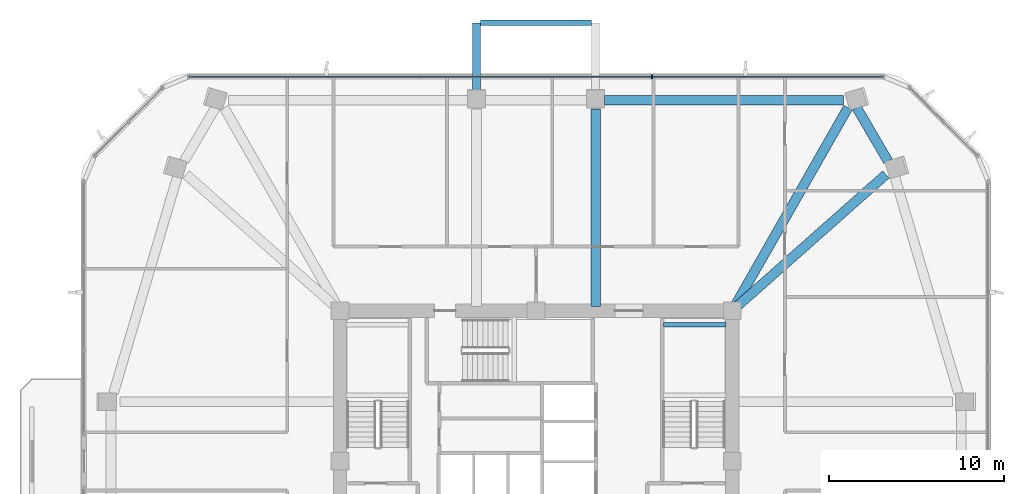
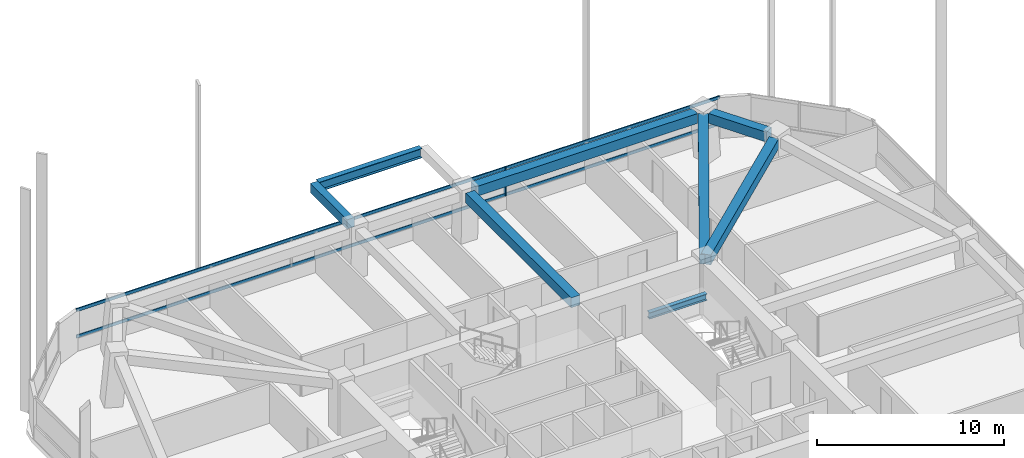
# One storey, part 5 of 15: 8 beams, 3 members, 1 element without a shape of its own.
"""IFC4 building model written with IfcOpenShell, lengths in metres."""

from ifc_helpers import new_model, si_unit, derived_unit, direction, frame, origin, origin_2d, place, context, subcontext, project, spatial, rectangle, i_section, extrude, material, material_profile, profile_set, type_object, element, aggregate, save


model = new_model("IFC4")

# Units and contexts
model_context = context("Model", 3, precision=1e-05, world=origin(), true_north=direction((0.0, 1.0)))
body_context = subcontext(model_context, "Body", "Model", "MODEL_VIEW")
ifc_project = project(units=[si_unit("LENGTHUNIT", "METRE"), si_unit("AREAUNIT", "SQUARE_METRE"), si_unit("VOLUMEUNIT", "CUBIC_METRE"), si_unit("PLANEANGLEUNIT", "RADIAN"), si_unit("MASSUNIT", "GRAM", prefix="KILO"), derived_unit("THERMALTRANSMITTANCEUNIT", [(si_unit("POWERUNIT", "WATT"), 1), (si_unit("LENGTHUNIT", "METRE"), -2), (si_unit("THERMODYNAMICTEMPERATUREUNIT", "KELVIN"), -1)])], contexts=[model_context])

# Site, building, storey
site_placement = place(None, origin())
site = spatial("IfcSite", under=ifc_project, at=site_placement, CompositionType="ELEMENT")
building_placement = place(site_placement, origin())
building = spatial("IfcBuilding", under=site, at=building_placement, Name="Koralith Skygarden Medical Center", CompositionType="ELEMENT")
storey_placement = place(building_placement, frame((0.0, 0.0, 99.179931640625)))
storey = spatial("IfcBuildingStorey", under=building, at=storey_placement, Name="L25", CompositionType="ELEMENT", Elevation=99.179931640625)

# Curtain wall, members
ifc_material_1 = material(Name="Clear Laminated Glass", Category="glass")
curtain_wall_type = type_object("IfcCurtainWallType", Name="CW-3 Zone 2 Faceted Solar Curtain Wall", PredefinedType="NOTDEFINED", material=ifc_material_1)
curtain_wall_placement = place(storey_placement, origin())
curtain_wall = element("IfcCurtainWall", 1, at=curtain_wall_placement, inside=storey, type_object=curtain_wall_type, Name="Curtain Wall CW-L25-N", PredefinedType="NOTDEFINED")
ifc_material_2 = material(Name="Aluminium 6063-T6", Category="aluminium")
ifc_material_profile_1 = material_profile(ifc_material_2, rectangle(XDim=0.073974609375, YDim=0.219970703125, at=origin_2d()), Name="MUL74X220")
ifc_profile_set_1 = profile_set([ifc_material_profile_1], Name="Aluminium 6063-T6")
member_type_1 = type_object("IfcMemberType", Name="CW-3 Extruded Mullion 74x220", PredefinedType="MULLION", material=ifc_profile_set_1)
member_1_placement = place(storey_placement, frame((43.613037109375, 47.85498046875, 0.85009765625), z_axis=(0.0, 0.0, 1.0), x_axis=(1.0, 0.0, 0.0)))
member_1 = element("IfcMember", 2, at=member_1_placement, type_object=member_type_1, Name="CW-L25-N Mullion 2", PredefinedType="MULLION", context=body_context, shape_type="SweptSolid", body=[
    extrude(rectangle(XDim=0.073974609375, YDim=0.219970703125, at=origin_2d()), origin(), (0.0, 0.0, 1.0), 1.820068359375),
])
ifc_material_profile_2 = material_profile(ifc_material_2, rectangle(XDim=0.069091796875, YDim=0.197998046875, at=origin_2d()), Name="TRN69X198")
ifc_profile_set_2 = profile_set([ifc_material_profile_2], Name="Aluminium 6063-T6")
member_type_2 = type_object("IfcMemberType", Name="CW-3 Thermal Transom 69x198", PredefinedType="USERDEFINED", material=ifc_profile_set_2)
member_2_placement = place(storey_placement, frame((56.837890625, 47.85498046875, 0.900146484375), z_axis=(-1.0, 0.0, 0.0), x_axis=(0.0, -1.0, 0.0)))
member_2 = element("IfcMember", 3, at=member_2_placement, type_object=member_type_2, Name="CW-L25-N Transom 1", ObjectType="TRANSOM", PredefinedType="USERDEFINED", context=body_context, shape_type="SweptSolid", body=[
    extrude(rectangle(XDim=0.069091796875, YDim=0.197998046875, at=origin_2d()), origin(), (0.0, 0.0, 1.0), 39.67578125),
])
member_3_placement = place(storey_placement, frame((56.837890625, 47.85498046875, 2.6201171875), z_axis=(-1.0, 0.0, 0.0), x_axis=(0.0, -1.0, 0.0)))
member_3 = element("IfcMember", 4, at=member_3_placement, type_object=member_type_2, Name="CW-L25-N Transom 2", ObjectType="TRANSOM", PredefinedType="USERDEFINED", context=body_context, shape_type="SweptSolid", body=[
    extrude(rectangle(XDim=0.069091796875, YDim=0.197998046875, at=origin_2d()), origin(), (0.0, 0.0, 1.0), 39.67578125),
])
aggregate(curtain_wall, [member_1, member_2, member_3])

# Beams
ifc_material_3 = material(Name="Steel ASTM A992 Grade 50", Category="steel")
ifc_material_profile_3 = material_profile(ifc_material_3, i_section(OverallWidth=0.326904296875, OverallDepth=0.6220703125, WebThickness=0.015380859375, FlangeThickness=0.0244140625, at=origin_2d()), Name="W24X131")
ifc_profile_set_3 = profile_set([ifc_material_profile_3], Name="Steel ASTM A992 Grade 50")
beam_type_1 = type_object("IfcBeamType", Name="Cantilever Tie Beam W24X131", PredefinedType="BEAM", material=ifc_profile_set_3)
beam_1_placement = place(storey_placement, frame((33.820068359375, 50.93603515625, 3.029052734375), z_axis=(1.0, 0.0, 0.0), x_axis=(0.0, 1.0, 0.0)))
element("IfcBeam", 5, at=beam_1_placement, inside=storey, type_object=beam_type_1, Name="L26 N Balcony Tip Tie Beam", PredefinedType="BEAM", context=body_context, shape_type="SweptSolid", body=[
    extrude(i_section(OverallWidth=0.326904296875, OverallDepth=0.6220703125, WebThickness=0.015380859375, FlangeThickness=0.0244140625, at=origin_2d()), origin(), (0.0, 0.0, 1.0), 6.35986328125),
])
ifc_material_profile_4 = material_profile(ifc_material_3, i_section(OverallWidth=0.260009765625, OverallDepth=0.4150390625, WebThickness=0.010009765625, FlangeThickness=0.016845703125, at=origin_2d()), Name="W16X67")
ifc_profile_set_4 = profile_set([ifc_material_profile_4], Name="Steel ASTM A992 Grade 50")
beam_type_2 = type_object("IfcBeamType", Name="Clinical Floor Joist W16X67", PredefinedType="JOIST", material=ifc_profile_set_4)
beam_2_placement = place(storey_placement, frame((44.280029296875, 33.699951171875, 1.39306640625), z_axis=(1.0, 0.0, 0.0), x_axis=(0.0, 1.0, 0.0)))
element("IfcBeam", 6, at=beam_2_placement, inside=storey, type_object=beam_type_2, Name="L25 Stair ST2 Half-Landing Support Beam 1B", PredefinedType="JOIST", context=body_context, shape_type="SweptSolid", body=[
    extrude(i_section(OverallWidth=0.260009765625, OverallDepth=0.4150390625, WebThickness=0.010009765625, FlangeThickness=0.016845703125, at=origin_2d()), origin(), (0.0, 0.0, 1.0), 3.56494140625),
])
ifc_material_4 = material(Name="Concrete C45/55", Category="concrete")
ifc_material_profile_5 = material_profile(ifc_material_4, rectangle(XDim=0.449951171875, YDim=0.60009765625, at=origin_2d()), Name="RCB450X600")
ifc_profile_set_5 = profile_set([ifc_material_profile_5], Name="Concrete C45/55")
beam_type_3 = type_object("IfcBeamType", Name="Planted Balcony Cantilever Beam RCB450X600", PredefinedType="BEAM", material=ifc_profile_set_5)
beam_3_placement = place(storey_placement, frame((33.60009765625, 47.01611328125, 3.0400390625), z_axis=(0.0, 1.0, 0.0), x_axis=(-1.0, 0.0, 0.0)))
element("IfcBeam", 7, at=beam_3_placement, inside=storey, type_object=beam_type_3, Name="L26 N Balcony Cantilever Beam A", PredefinedType="BEAM", context=body_context, shape_type="SweptSolid", body=[
    extrude(rectangle(XDim=0.449951171875, YDim=0.60009765625, at=origin_2d()), origin(), (0.0, 0.0, 1.0), 3.919921875),
])
ifc_material_profile_6 = material_profile(ifc_material_4, rectangle(XDim=0.550048828125, YDim=0.639892578125, at=origin_2d()), Name="RCB550X640")
ifc_profile_set_6 = profile_set([ifc_material_profile_6], Name="Concrete C45/55")
beam_type_4 = type_object("IfcBeamType", Name="Radial Collector Beam RCB550X640", PredefinedType="BEAM", material=ifc_profile_set_6)
beam_4_placement = place(storey_placement, frame((48.386962890625, 34.666015625, 3.0), z_axis=(0.748607791836, 0.663013102436, 0.0), x_axis=(-0.663013102436, 0.748607791836, 0.0)))
element("IfcBeam", 8, at=beam_4_placement, inside=storey, type_object=beam_type_4, Name="L25 Radial Collector Beam RB-10", PredefinedType="BEAM", context=body_context, shape_type="SweptSolid", body=[
    extrude(rectangle(XDim=0.550048828125, YDim=0.639892578125, at=origin_2d()), origin(), (0.0, 0.0, 1.0), 11.474853515625),
])
beam_5_placement = place(storey_placement, frame((48.323974609375, 34.717041015625, 3.0), z_axis=(0.495393850048, 0.868668482987, 0.0), x_axis=(-0.868668482987, 0.495393850048, 0.0)))
element("IfcBeam", 9, at=beam_5_placement, inside=storey, type_object=beam_type_4, Name="L25 Radial Collector Beam RB-11", PredefinedType="BEAM", context=body_context, shape_type="SweptSolid", body=[
    extrude(rectangle(XDim=0.550048828125, YDim=0.639892578125, at=origin_2d()), origin(), (0.0, 0.0, 1.0), 13.0947265625),
])
beam_6_placement = place(storey_placement, frame((40.39990234375, 34.75, 3.0), z_axis=(0.0, 1.0, 0.0), x_axis=(-1.0, 0.0, 0.0)))
element("IfcBeam", 10, at=beam_6_placement, inside=storey, type_object=beam_type_4, Name="L25 Radial Collector Beam RB-12", PredefinedType="BEAM", context=body_context, shape_type="SweptSolid", body=[
    extrude(rectangle(XDim=0.550048828125, YDim=0.639892578125, at=origin_2d()), origin(), (0.0, 0.0, 1.0), 11.27587890625),
])
ifc_material_profile_7 = material_profile(ifc_material_4, rectangle(XDim=0.550048828125, YDim=0.639892578125, at=origin_2d()), Name="RCB550X640")
ifc_profile_set_7 = profile_set([ifc_material_profile_7], Name="Concrete C45/55")
beam_type_5 = type_object("IfcBeamType", Name="Zone 2-3 Spandrel Beam RCB550X640", PredefinedType="SPANDREL", material=ifc_profile_set_7)
beam_7_placement = place(storey_placement, frame((57.09912109375, 43.0380859375, 3.0), z_axis=(-0.50502386975, 0.863105376523, 0.0), x_axis=(-0.863105376523, -0.50502386975, 0.0)))
element("IfcBeam", 11, at=beam_7_placement, inside=storey, type_object=beam_type_5, Name="L25 Perimeter Spandrel Beam SP-10", PredefinedType="SPANDREL", context=body_context, shape_type="SweptSolid", body=[
    extrude(rectangle(XDim=0.550048828125, YDim=0.639892578125, at=origin_2d()), origin(), (0.0, 0.0, 1.0), 3.54052734375),
])
beam_8_placement = place(storey_placement, frame((54.55908203125, 46.52587890625, 3.0), z_axis=(-1.0, 0.0, 0.0), x_axis=(0.0, -1.0, 0.0)))
element("IfcBeam", 12, at=beam_8_placement, inside=storey, type_object=beam_type_5, Name="L25 Perimeter Spandrel Beam SP-11", PredefinedType="SPANDREL", context=body_context, shape_type="SweptSolid", body=[
    extrude(rectangle(XDim=0.550048828125, YDim=0.639892578125, at=origin_2d()), origin(), (0.0, 0.0, 1.0), 13.6591796875),
])

save(model, "model.ifc")
